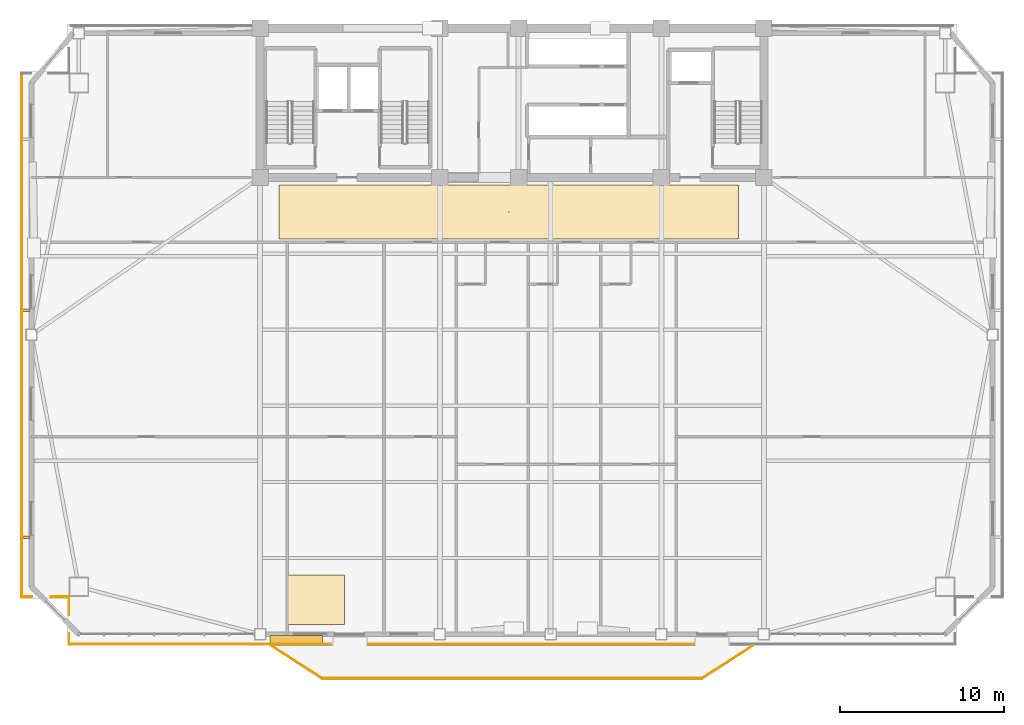
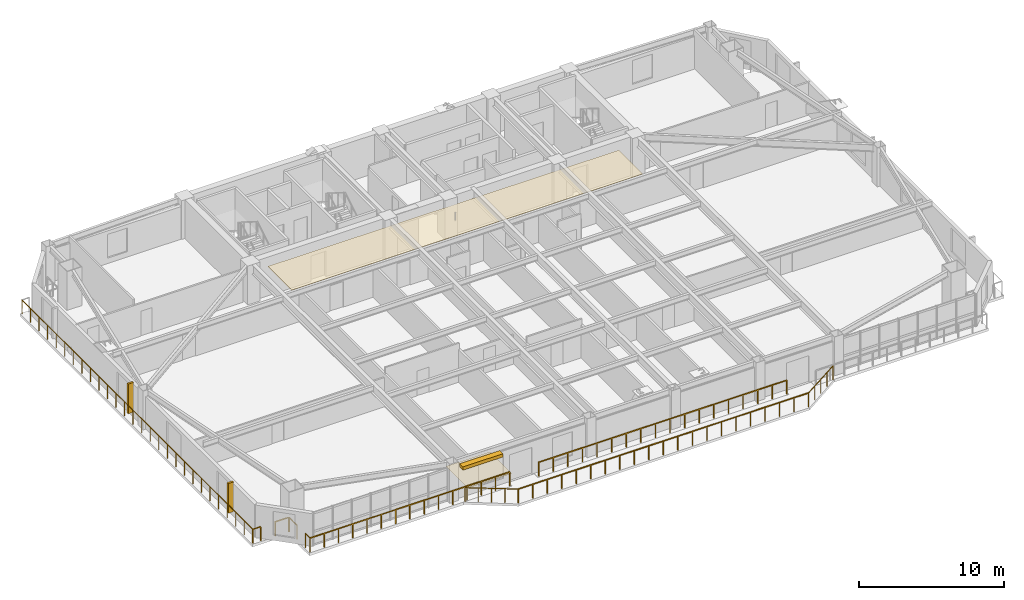
# One storey, part 12 of 15: 10 railings, 3 shading devices, 2 coverings.
"""IFC4 building model written with IfcOpenShell, lengths in metres."""

from ifc_helpers import new_model, si_unit, direction, frame, origin, origin_2d, place, context, subcontext, project, spatial, polyline, rectangle, outline, extrude, source, transform, mapped, material, layer, layer_set, type_object, element, save


model = new_model("IFC4")

# Units and contexts
model_context = context("Model", 3, precision=1e-05, world=origin(), true_north=direction((0.0, 1.0)))
body_context = subcontext(model_context, "Body", "Model", "MODEL_VIEW")
ifc_project = project(units=[si_unit("LENGTHUNIT", "METRE"), si_unit("AREAUNIT", "SQUARE_METRE"), si_unit("VOLUMEUNIT", "CUBIC_METRE"), si_unit("PLANEANGLEUNIT", "RADIAN"), si_unit("MASSUNIT", "GRAM", prefix="KILO")], contexts=[model_context])

# Site, building, storey
site_placement = place(None, origin())
site = spatial("IfcSite", under=ifc_project, at=site_placement, CompositionType="ELEMENT")
building_placement = place(site_placement, origin())
building = spatial("IfcBuilding", under=site, at=building_placement, Name="Giltprow Tower", CompositionType="ELEMENT")
storey_placement = place(building_placement, frame((0.0, 0.0, 173.699951171875)))
storey = spatial("IfcBuildingStorey", under=building, at=storey_placement, Name="L43", CompositionType="ELEMENT", Elevation=173.699951171875)

# Coverings
ifc_material_1 = material(Name="Painted gypsum board", Category="gypsum")
ifc_layer_1 = layer(ifc_material_1, 0.030029296875, Name="Painted gypsum board")
ifc_layer_set_1 = layer_set([ifc_layer_1], Name="Painted gypsum board")
covering_type_1 = type_object("IfcCoveringType", Name="COV-CLG-GYPSUM", PredefinedType="CEILING", material=ifc_layer_set_1)
covering_1_placement = place(storey_placement, frame((0.0, 0.0, 2.6201171875)))
element("IfcCovering", 1, at=covering_1_placement, inside=storey, type_object=covering_type_1, Name="L43 Hotel Corridor Gypsum Ceiling", PredefinedType="CEILING", context=body_context, shape_type="SweptSolid", body=[
    extrude(outline(polyline([(21.0, 33.699951171875), (49.0, 33.699951171875), (49.0, 37.0), (21.0, 37.0), (21.0, 33.699951171875)])), origin(), (0.0, 0.0, 1.0), 0.030029296875),
])
ifc_material_2 = material(Name="Engineered oak", Category="wood")
ifc_layer_2 = layer(ifc_material_2, 0.02490234375, Name="Engineered oak")
ifc_layer_set_2 = layer_set([ifc_layer_2], Name="Engineered oak")
covering_type_2 = type_object("IfcCoveringType", Name="COV-FLR-TIMBER", PredefinedType="FLOORING", material=ifc_layer_set_2)
covering_2_placement = place(storey_placement, origin())
element("IfcCovering", 2, at=covering_2_placement, inside=storey, type_object=covering_type_2, Name="L43 Engineered Oak Guestroom Flooring", PredefinedType="FLOORING", context=body_context, shape_type="SweptSolid", body=[
    extrude(outline(polyline([(21.5, 10.22607421875), (25.0, 10.22607421875), (25.0, 13.22607421875), (21.5, 13.22607421875), (21.5, 10.22607421875)])), origin(), (0.0, 0.0, 1.0), 0.025146484375),
])

# Railings
ifc_material_3 = material(Name="Anodized bronze", Category="metal")
railing_type = type_object("IfcRailingType", Name="RAIL-BALC-GUARD-1200", PredefinedType="BALUSTRADE", material=ifc_material_3)
railing_1_placement = place(storey_placement, frame((20.52001953125, 8.926025390625, 0.0)))
element("IfcRailing", 3, at=railing_1_placement, inside=storey, type_object=railing_type, Name="L43 Waterfront Balcony Balustrade Seg 1", PredefinedType="BALUSTRADE", context=body_context, shape_type="SweptSolid", body=[
    extrude(rectangle(XDim=0.048095703125, YDim=0.048095703125, at=origin_2d()), frame((0.0, 0.0, 1.17578125), z_axis=(0.84277487735, -0.538266203757, 0.0), x_axis=(0.538266203757, 0.84277487735, 0.0)), (0.0, 0.0, 1.0), 3.678466796875),
    extrude(rectangle(XDim=0.0419921875, YDim=0.0419921875, at=origin_2d()), origin(), (0.0, 0.0, 1.0), 1.15185546875),
    extrude(rectangle(XDim=0.0419921875, YDim=0.0419921875, at=origin_2d()), frame((0.77490234375, -0.4951171875, 0.0)), (0.0, 0.0, 1.0), 1.15185546875),
    extrude(rectangle(XDim=0.0419921875, YDim=0.0419921875, at=origin_2d()), frame((1.550048828125, -0.989990234375, 0.0)), (0.0, 0.0, 1.0), 1.15185546875),
    extrude(rectangle(XDim=0.0419921875, YDim=0.0419921875, at=origin_2d()), frame((2.3251953125, -1.48486328125, 0.0)), (0.0, 0.0, 1.0), 1.15185546875),
    extrude(rectangle(XDim=0.0419921875, YDim=0.0419921875, at=origin_2d()), frame((3.10009765625, -1.97998046875, 0.0)), (0.0, 0.0, 1.0), 1.15185546875),
])
railing_2_placement = place(storey_placement, frame((23.6201171875, 6.946044921875, 0.0)))
element("IfcRailing", 4, at=railing_2_placement, inside=storey, type_object=railing_type, Name="L43 Waterfront Balcony Balustrade Seg 2", PredefinedType="BALUSTRADE", context=body_context, shape_type="SweptSolid", body=[
    extrude(rectangle(XDim=0.048095703125, YDim=0.048095703125, at=origin_2d()), frame((0.0, 0.0, 1.17578125), z_axis=(1.0, 0.0, 0.0), x_axis=(0.0, 1.0, 0.0)), (0.0, 0.0, 1.0), 23.159912109375),
    extrude(rectangle(XDim=0.0419921875, YDim=0.0419921875, at=origin_2d()), origin(), (0.0, 0.0, 1.0), 1.15185546875),
    extrude(rectangle(XDim=0.0419921875, YDim=0.0419921875, at=origin_2d()), frame((1.157958984375, 0.0, 0.0)), (0.0, 0.0, 1.0), 1.15185546875),
    extrude(rectangle(XDim=0.0419921875, YDim=0.0419921875, at=origin_2d()), frame((2.31591796875, 0.0, 0.0)), (0.0, 0.0, 1.0), 1.15185546875),
    extrude(rectangle(XDim=0.0419921875, YDim=0.0419921875, at=origin_2d()), frame((3.473876953125, 0.0, 0.0)), (0.0, 0.0, 1.0), 1.15185546875),
    extrude(rectangle(XDim=0.0419921875, YDim=0.0419921875, at=origin_2d()), frame((4.632080078125, 0.0, 0.0)), (0.0, 0.0, 1.0), 1.15185546875),
    extrude(rectangle(XDim=0.0419921875, YDim=0.0419921875, at=origin_2d()), frame((5.7900390625, 0.0, 0.0)), (0.0, 0.0, 1.0), 1.15185546875),
    extrude(rectangle(XDim=0.0419921875, YDim=0.0419921875, at=origin_2d()), frame((6.947998046875, 0.0, 0.0)), (0.0, 0.0, 1.0), 1.15185546875),
    extrude(rectangle(XDim=0.0419921875, YDim=0.0419921875, at=origin_2d()), frame((8.10595703125, 0.0, 0.0)), (0.0, 0.0, 1.0), 1.15185546875),
    extrude(rectangle(XDim=0.0419921875, YDim=0.0419921875, at=origin_2d()), frame((9.263916015625, 0.0, 0.0)), (0.0, 0.0, 1.0), 1.15185546875),
    extrude(rectangle(XDim=0.0419921875, YDim=0.0419921875, at=origin_2d()), frame((10.421875, 0.0, 0.0)), (0.0, 0.0, 1.0), 1.15185546875),
    extrude(rectangle(XDim=0.0419921875, YDim=0.0419921875, at=origin_2d()), frame((11.580078125, 0.0, 0.0)), (0.0, 0.0, 1.0), 1.15185546875),
    extrude(rectangle(XDim=0.0419921875, YDim=0.0419921875, at=origin_2d()), frame((12.738037109375, 0.0, 0.0)), (0.0, 0.0, 1.0), 1.15185546875),
    extrude(rectangle(XDim=0.0419921875, YDim=0.0419921875, at=origin_2d()), frame((13.89599609375, 0.0, 0.0)), (0.0, 0.0, 1.0), 1.15185546875),
    extrude(rectangle(XDim=0.0419921875, YDim=0.0419921875, at=origin_2d()), frame((15.053955078125, 0.0, 0.0)), (0.0, 0.0, 1.0), 1.15185546875),
    extrude(rectangle(XDim=0.0419921875, YDim=0.0419921875, at=origin_2d()), frame((16.2119140625, 0.0, 0.0)), (0.0, 0.0, 1.0), 1.15185546875),
    extrude(rectangle(XDim=0.0419921875, YDim=0.0419921875, at=origin_2d()), frame((17.369873046875, 0.0, 0.0)), (0.0, 0.0, 1.0), 1.15185546875),
    extrude(rectangle(XDim=0.0419921875, YDim=0.0419921875, at=origin_2d()), frame((18.52783203125, 0.0, 0.0)), (0.0, 0.0, 1.0), 1.15185546875),
    extrude(rectangle(XDim=0.0419921875, YDim=0.0419921875, at=origin_2d()), frame((19.68603515625, 0.0, 0.0)), (0.0, 0.0, 1.0), 1.15185546875),
    extrude(rectangle(XDim=0.0419921875, YDim=0.0419921875, at=origin_2d()), frame((20.843994140625, 0.0, 0.0)), (0.0, 0.0, 1.0), 1.15185546875),
    extrude(rectangle(XDim=0.0419921875, YDim=0.0419921875, at=origin_2d()), frame((22.001953125, 0.0, 0.0)), (0.0, 0.0, 1.0), 1.15185546875),
    extrude(rectangle(XDim=0.0419921875, YDim=0.0419921875, at=origin_2d()), frame((23.159912109375, 0.0, 0.0)), (0.0, 0.0, 1.0), 1.15185546875),
])
railing_3_placement = place(storey_placement, frame((46.780029296875, 6.946044921875, 0.0)))
element("IfcRailing", 5, at=railing_3_placement, inside=storey, type_object=railing_type, Name="L43 Waterfront Balcony Balustrade Seg 3", PredefinedType="BALUSTRADE", context=body_context, shape_type="SweptSolid", body=[
    extrude(rectangle(XDim=0.048095703125, YDim=0.048095703125, at=origin_2d()), frame((0.0, 0.0, 1.17578125), z_axis=(0.842755646126, 0.538296313309, 0.0), x_axis=(-0.538296313309, 0.842755646126, 0.0)), (0.0, 0.0, 1.0), 3.67822265625),
    extrude(rectangle(XDim=0.0419921875, YDim=0.0419921875, at=origin_2d()), origin(), (0.0, 0.0, 1.0), 1.15185546875),
    extrude(rectangle(XDim=0.0419921875, YDim=0.0419921875, at=origin_2d()), frame((0.77490234375, 0.4951171875, 0.0)), (0.0, 0.0, 1.0), 1.15185546875),
    extrude(rectangle(XDim=0.0419921875, YDim=0.0419921875, at=origin_2d()), frame((1.5498046875, 0.989990234375, 0.0)), (0.0, 0.0, 1.0), 1.15185546875),
    extrude(rectangle(XDim=0.0419921875, YDim=0.0419921875, at=origin_2d()), frame((2.324951171875, 1.48486328125, 0.0)), (0.0, 0.0, 1.0), 1.15185546875),
    extrude(rectangle(XDim=0.0419921875, YDim=0.0419921875, at=origin_2d()), frame((3.099853515625, 1.97998046875, 0.0)), (0.0, 0.0, 1.0), 1.15185546875),
])
railing_4_placement = place(storey_placement, frame((8.2060546875, 9.02587890625, 0.0)))
element("IfcRailing", 6, at=railing_4_placement, inside=storey, type_object=railing_type, Name="L43 Corner Apron Edge Balustrade 1", PredefinedType="BALUSTRADE", context=body_context, shape_type="SweptSolid", body=[
    extrude(rectangle(XDim=0.048095703125, YDim=0.048095703125, at=origin_2d()), frame((0.0, 0.0, 1.17578125), z_axis=(0.0, 1.0, 0.0), x_axis=(-1.0, 0.0, 0.0)), (0.0, 0.0, 1.0), 0.6201171875),
    extrude(rectangle(XDim=0.0419921875, YDim=0.0419921875, at=origin_2d()), origin(), (0.0, 0.0, 1.0), 1.15185546875),
    extrude(rectangle(XDim=0.0419921875, YDim=0.0419921875, at=origin_2d()), frame((0.0, 0.6201171875, 0.0)), (0.0, 0.0, 1.0), 1.15185546875),
])
railing_5_placement = place(storey_placement, frame((8.2060546875, 10.805908203125, 0.0)))
element("IfcRailing", 7, at=railing_5_placement, inside=storey, type_object=railing_type, Name="L43 Corner Apron Edge Balustrade 2", PredefinedType="BALUSTRADE", context=body_context, shape_type="SweptSolid", body=[
    extrude(rectangle(XDim=0.048095703125, YDim=0.048095703125, at=origin_2d()), frame((0.0, 0.0, 1.17578125), z_axis=(0.0, 1.0, 0.0), x_axis=(-1.0, 0.0, 0.0)), (0.0, 0.0, 1.0), 1.072021484375),
    extrude(rectangle(XDim=0.0419921875, YDim=0.0419921875, at=origin_2d()), origin(), (0.0, 0.0, 1.0), 1.15185546875),
    extrude(rectangle(XDim=0.0419921875, YDim=0.0419921875, at=origin_2d()), frame((0.0, 1.072021484375, 0.0)), (0.0, 0.0, 1.0), 1.15185546875),
])
railing_6_placement = place(storey_placement, frame((8.1708984375, 11.9130859375, 0.0)))
element("IfcRailing", 8, at=railing_6_placement, inside=storey, type_object=railing_type, Name="L43 Corner Apron Edge Balustrade 3", PredefinedType="BALUSTRADE", context=body_context, shape_type="SweptSolid", body=[
    extrude(rectangle(XDim=0.048095703125, YDim=0.048095703125, at=origin_2d()), frame((0.0, 0.0, 1.17578125), z_axis=(-1.0, 0.0, 0.0), x_axis=(0.0, -1.0, 0.0)), (0.0, 0.0, 1.0), 1.07177734375),
    extrude(rectangle(XDim=0.0419921875, YDim=0.0419921875, at=origin_2d()), origin(), (0.0, 0.0, 1.0), 1.15185546875),
    extrude(rectangle(XDim=0.0419921875, YDim=0.0419921875, at=origin_2d()), frame((-1.07177734375, 0.0, 0.0)), (0.0, 0.0, 1.0), 1.15185546875),
])
railing_7_placement = place(storey_placement, frame((5.93896484375, 11.9130859375, 0.0)))
element("IfcRailing", 9, at=railing_7_placement, inside=storey, type_object=railing_type, Name="L43 Corner Apron Edge Balustrade 4", PredefinedType="BALUSTRADE", context=body_context, shape_type="SweptSolid", body=[
    extrude(rectangle(XDim=0.048095703125, YDim=0.048095703125, at=origin_2d()), frame((0.0, 0.0, 1.17578125), z_axis=(-1.0, 0.0, 0.0), x_axis=(0.0, -1.0, 0.0)), (0.0, 0.0, 1.0), 0.619873046875),
    extrude(rectangle(XDim=0.0419921875, YDim=0.0419921875, at=origin_2d()), origin(), (0.0, 0.0, 1.0), 1.15185546875),
    extrude(rectangle(XDim=0.0419921875, YDim=0.0419921875, at=origin_2d()), frame((-0.619873046875, 0.0, 0.0)), (0.0, 0.0, 1.0), 1.15185546875),
])
railing_8_placement = place(storey_placement, frame((5.319091796875, 11.9130859375, 0.0)))
element("IfcRailing", 10, at=railing_8_placement, inside=storey, type_object=railing_type, Name="L43 Corner Apron Edge Balustrade 5", PredefinedType="BALUSTRADE", context=body_context, shape_type="SweptSolid", body=[
    extrude(rectangle(XDim=0.048095703125, YDim=0.048095703125, at=origin_2d()), frame((0.0, 0.0, 1.17578125), z_axis=(0.0, 1.0, 0.0), x_axis=(-1.0, 0.0, 0.0)), (0.0, 0.0, 1.0), 31.89990234375),
    extrude(rectangle(XDim=0.0419921875, YDim=0.0419921875, at=origin_2d()), origin(), (0.0, 0.0, 1.0), 1.15185546875),
    extrude(rectangle(XDim=0.0419921875, YDim=0.0419921875, at=origin_2d()), frame((0.0, 1.181396484375, 0.0)), (0.0, 0.0, 1.0), 1.15185546875),
    extrude(rectangle(XDim=0.0419921875, YDim=0.0419921875, at=origin_2d()), frame((0.0, 2.363037109375, 0.0)), (0.0, 0.0, 1.0), 1.15185546875),
    extrude(rectangle(XDim=0.0419921875, YDim=0.0419921875, at=origin_2d()), frame((0.0, 3.54443359375, 0.0)), (0.0, 0.0, 1.0), 1.15185546875),
    extrude(rectangle(XDim=0.0419921875, YDim=0.0419921875, at=origin_2d()), frame((0.0, 4.725830078125, 0.0)), (0.0, 0.0, 1.0), 1.15185546875),
    extrude(rectangle(XDim=0.0419921875, YDim=0.0419921875, at=origin_2d()), frame((0.0, 5.907470703125, 0.0)), (0.0, 0.0, 1.0), 1.15185546875),
    extrude(rectangle(XDim=0.0419921875, YDim=0.0419921875, at=origin_2d()), frame((0.0, 7.0888671875, 0.0)), (0.0, 0.0, 1.0), 1.15185546875),
    extrude(rectangle(XDim=0.0419921875, YDim=0.0419921875, at=origin_2d()), frame((0.0, 8.270263671875, 0.0)), (0.0, 0.0, 1.0), 1.15185546875),
    extrude(rectangle(XDim=0.0419921875, YDim=0.0419921875, at=origin_2d()), frame((0.0, 9.451904296875, 0.0)), (0.0, 0.0, 1.0), 1.15185546875),
    extrude(rectangle(XDim=0.0419921875, YDim=0.0419921875, at=origin_2d()), frame((0.0, 10.63330078125, 0.0)), (0.0, 0.0, 1.0), 1.15185546875),
    extrude(rectangle(XDim=0.0419921875, YDim=0.0419921875, at=origin_2d()), frame((0.0, 11.814697265625, 0.0)), (0.0, 0.0, 1.0), 1.15185546875),
    extrude(rectangle(XDim=0.0419921875, YDim=0.0419921875, at=origin_2d()), frame((0.0, 12.996337890625, 0.0)), (0.0, 0.0, 1.0), 1.15185546875),
    extrude(rectangle(XDim=0.0419921875, YDim=0.0419921875, at=origin_2d()), frame((0.0, 14.177734375, 0.0)), (0.0, 0.0, 1.0), 1.15185546875),
    extrude(rectangle(XDim=0.0419921875, YDim=0.0419921875, at=origin_2d()), frame((0.0, 15.359130859375, 0.0)), (0.0, 0.0, 1.0), 1.15185546875),
    extrude(rectangle(XDim=0.0419921875, YDim=0.0419921875, at=origin_2d()), frame((0.0, 16.540771484375, 0.0)), (0.0, 0.0, 1.0), 1.15185546875),
    extrude(rectangle(XDim=0.0419921875, YDim=0.0419921875, at=origin_2d()), frame((0.0, 17.72216796875, 0.0)), (0.0, 0.0, 1.0), 1.15185546875),
    extrude(rectangle(XDim=0.0419921875, YDim=0.0419921875, at=origin_2d()), frame((0.0, 18.903564453125, 0.0)), (0.0, 0.0, 1.0), 1.15185546875),
    extrude(rectangle(XDim=0.0419921875, YDim=0.0419921875, at=origin_2d()), frame((0.0, 20.085205078125, 0.0)), (0.0, 0.0, 1.0), 1.15185546875),
    extrude(rectangle(XDim=0.0419921875, YDim=0.0419921875, at=origin_2d()), frame((0.0, 21.2666015625, 0.0)), (0.0, 0.0, 1.0), 1.15185546875),
    extrude(rectangle(XDim=0.0419921875, YDim=0.0419921875, at=origin_2d()), frame((0.0, 22.447998046875, 0.0)), (0.0, 0.0, 1.0), 1.15185546875),
    extrude(rectangle(XDim=0.0419921875, YDim=0.0419921875, at=origin_2d()), frame((0.0, 23.629638671875, 0.0)), (0.0, 0.0, 1.0), 1.15185546875),
    extrude(rectangle(XDim=0.0419921875, YDim=0.0419921875, at=origin_2d()), frame((0.0, 24.81103515625, 0.0)), (0.0, 0.0, 1.0), 1.15185546875),
    extrude(rectangle(XDim=0.0419921875, YDim=0.0419921875, at=origin_2d()), frame((0.0, 25.992431640625, 0.0)), (0.0, 0.0, 1.0), 1.15185546875),
    extrude(rectangle(XDim=0.0419921875, YDim=0.0419921875, at=origin_2d()), frame((0.0, 27.174072265625, 0.0)), (0.0, 0.0, 1.0), 1.15185546875),
    extrude(rectangle(XDim=0.0419921875, YDim=0.0419921875, at=origin_2d()), frame((0.0, 28.35546875, 0.0)), (0.0, 0.0, 1.0), 1.15185546875),
    extrude(rectangle(XDim=0.0419921875, YDim=0.0419921875, at=origin_2d()), frame((0.0, 29.536865234375, 0.0)), (0.0, 0.0, 1.0), 1.15185546875),
    extrude(rectangle(XDim=0.0419921875, YDim=0.0419921875, at=origin_2d()), frame((0.0, 30.718505859375, 0.0)), (0.0, 0.0, 1.0), 1.15185546875),
    extrude(rectangle(XDim=0.0419921875, YDim=0.0419921875, at=origin_2d()), frame((0.0, 31.89990234375, 0.0)), (0.0, 0.0, 1.0), 1.15185546875),
])
railing_9_placement = place(storey_placement, frame((46.25, 9.02587890625, 0.0)))
element("IfcRailing", 11, at=railing_9_placement, inside=storey, type_object=railing_type, Name="L43 Corner Apron Edge Balustrade 20", PredefinedType="BALUSTRADE", context=body_context, shape_type="SweptSolid", body=[
    extrude(rectangle(XDim=0.048095703125, YDim=0.048095703125, at=origin_2d()), frame((0.0, 0.0, 1.17578125), z_axis=(-1.0, 0.0, 0.0), x_axis=(0.0, -1.0, 0.0)), (0.0, 0.0, 1.0), 19.800048828125),
    extrude(rectangle(XDim=0.0419921875, YDim=0.0419921875, at=origin_2d()), origin(), (0.0, 0.0, 1.0), 1.15185546875),
    extrude(rectangle(XDim=0.0419921875, YDim=0.0419921875, at=origin_2d()), frame((-1.164794921875, 0.0, 0.0)), (0.0, 0.0, 1.0), 1.15185546875),
    extrude(rectangle(XDim=0.0419921875, YDim=0.0419921875, at=origin_2d()), frame((-2.329345703125, 0.0, 0.0)), (0.0, 0.0, 1.0), 1.15185546875),
    extrude(rectangle(XDim=0.0419921875, YDim=0.0419921875, at=origin_2d()), frame((-3.494140625, 0.0, 0.0)), (0.0, 0.0, 1.0), 1.15185546875),
    extrude(rectangle(XDim=0.0419921875, YDim=0.0419921875, at=origin_2d()), frame((-4.658935546875, 0.0, 0.0)), (0.0, 0.0, 1.0), 1.15185546875),
    extrude(rectangle(XDim=0.0419921875, YDim=0.0419921875, at=origin_2d()), frame((-5.823486328125, 0.0, 0.0)), (0.0, 0.0, 1.0), 1.15185546875),
    extrude(rectangle(XDim=0.0419921875, YDim=0.0419921875, at=origin_2d()), frame((-6.98828125, 0.0, 0.0)), (0.0, 0.0, 1.0), 1.15185546875),
    extrude(rectangle(XDim=0.0419921875, YDim=0.0419921875, at=origin_2d()), frame((-8.153076171875, 0.0, 0.0)), (0.0, 0.0, 1.0), 1.15185546875),
    extrude(rectangle(XDim=0.0419921875, YDim=0.0419921875, at=origin_2d()), frame((-9.317626953125, 0.0, 0.0)), (0.0, 0.0, 1.0), 1.15185546875),
    extrude(rectangle(XDim=0.0419921875, YDim=0.0419921875, at=origin_2d()), frame((-10.482421875, 0.0, 0.0)), (0.0, 0.0, 1.0), 1.15185546875),
    extrude(rectangle(XDim=0.0419921875, YDim=0.0419921875, at=origin_2d()), frame((-11.64697265625, 0.0, 0.0)), (0.0, 0.0, 1.0), 1.15185546875),
    extrude(rectangle(XDim=0.0419921875, YDim=0.0419921875, at=origin_2d()), frame((-12.811767578125, 0.0, 0.0)), (0.0, 0.0, 1.0), 1.15185546875),
    extrude(rectangle(XDim=0.0419921875, YDim=0.0419921875, at=origin_2d()), frame((-13.9765625, 0.0, 0.0)), (0.0, 0.0, 1.0), 1.15185546875),
    extrude(rectangle(XDim=0.0419921875, YDim=0.0419921875, at=origin_2d()), frame((-15.14111328125, 0.0, 0.0)), (0.0, 0.0, 1.0), 1.15185546875),
    extrude(rectangle(XDim=0.0419921875, YDim=0.0419921875, at=origin_2d()), frame((-16.305908203125, 0.0, 0.0)), (0.0, 0.0, 1.0), 1.15185546875),
    extrude(rectangle(XDim=0.0419921875, YDim=0.0419921875, at=origin_2d()), frame((-17.470703125, 0.0, 0.0)), (0.0, 0.0, 1.0), 1.15185546875),
    extrude(rectangle(XDim=0.0419921875, YDim=0.0419921875, at=origin_2d()), frame((-18.63525390625, 0.0, 0.0)), (0.0, 0.0, 1.0), 1.15185546875),
    extrude(rectangle(XDim=0.0419921875, YDim=0.0419921875, at=origin_2d()), frame((-19.800048828125, 0.0, 0.0)), (0.0, 0.0, 1.0), 1.15185546875),
])
railing_10_placement = place(storey_placement, frame((24.14990234375, 9.02587890625, 0.0)))
element("IfcRailing", 12, at=railing_10_placement, inside=storey, type_object=railing_type, Name="L43 Corner Apron Edge Balustrade 21", PredefinedType="BALUSTRADE", context=body_context, shape_type="SweptSolid", body=[
    extrude(rectangle(XDim=0.048095703125, YDim=0.048095703125, at=origin_2d()), frame((0.0, 0.0, 1.17578125), z_axis=(-1.0, 0.0, 0.0), x_axis=(0.0, -1.0, 0.0)), (0.0, 0.0, 1.0), 15.94384765625),
    extrude(rectangle(XDim=0.0419921875, YDim=0.0419921875, at=origin_2d()), origin(), (0.0, 0.0, 1.0), 1.15185546875),
    extrude(rectangle(XDim=0.0419921875, YDim=0.0419921875, at=origin_2d()), frame((-1.138916015625, 0.0, 0.0)), (0.0, 0.0, 1.0), 1.15185546875),
    extrude(rectangle(XDim=0.0419921875, YDim=0.0419921875, at=origin_2d()), frame((-2.277587890625, 0.0, 0.0)), (0.0, 0.0, 1.0), 1.15185546875),
    extrude(rectangle(XDim=0.0419921875, YDim=0.0419921875, at=origin_2d()), frame((-3.41650390625, 0.0, 0.0)), (0.0, 0.0, 1.0), 1.15185546875),
    extrude(rectangle(XDim=0.0419921875, YDim=0.0419921875, at=origin_2d()), frame((-4.555419921875, 0.0, 0.0)), (0.0, 0.0, 1.0), 1.15185546875),
    extrude(rectangle(XDim=0.0419921875, YDim=0.0419921875, at=origin_2d()), frame((-5.6943359375, 0.0, 0.0)), (0.0, 0.0, 1.0), 1.15185546875),
    extrude(rectangle(XDim=0.0419921875, YDim=0.0419921875, at=origin_2d()), frame((-6.8330078125, 0.0, 0.0)), (0.0, 0.0, 1.0), 1.15185546875),
    extrude(rectangle(XDim=0.0419921875, YDim=0.0419921875, at=origin_2d()), frame((-7.971923828125, 0.0, 0.0)), (0.0, 0.0, 1.0), 1.15185546875),
    extrude(rectangle(XDim=0.0419921875, YDim=0.0419921875, at=origin_2d()), frame((-9.11083984375, 0.0, 0.0)), (0.0, 0.0, 1.0), 1.15185546875),
    extrude(rectangle(XDim=0.0419921875, YDim=0.0419921875, at=origin_2d()), frame((-10.24951171875, 0.0, 0.0)), (0.0, 0.0, 1.0), 1.15185546875),
    extrude(rectangle(XDim=0.0419921875, YDim=0.0419921875, at=origin_2d()), frame((-11.388427734375, 0.0, 0.0)), (0.0, 0.0, 1.0), 1.15185546875),
    extrude(rectangle(XDim=0.0419921875, YDim=0.0419921875, at=origin_2d()), frame((-12.52734375, 0.0, 0.0)), (0.0, 0.0, 1.0), 1.15185546875),
    extrude(rectangle(XDim=0.0419921875, YDim=0.0419921875, at=origin_2d()), frame((-13.666259765625, 0.0, 0.0)), (0.0, 0.0, 1.0), 1.15185546875),
    extrude(rectangle(XDim=0.0419921875, YDim=0.0419921875, at=origin_2d()), frame((-14.804931640625, 0.0, 0.0)), (0.0, 0.0, 1.0), 1.15185546875),
    extrude(rectangle(XDim=0.0419921875, YDim=0.0419921875, at=origin_2d()), frame((-15.94384765625, 0.0, 0.0)), (0.0, 0.0, 1.0), 1.15185546875),
])

# Shading devices
shading_device_type_1 = type_object("IfcShadingDeviceType", Name="SHD-FIN-420", PredefinedType="USERDEFINED", material=ifc_material_3)
shared_shape_1 = source(origin(), body_context, "Body", "SweptSolid", [
    extrude(rectangle(XDim=0.419921875, YDim=0.159912109375, at=origin_2d()), origin(), (0.0, 0.0, 1.0), 2.5),
])
for number, where, z_axis, x_axis, name in (
    (13, (5.618896484375, 15.532958984375, 0.35009765625), (0.0, 0.0, 1.0), (1.0, 0.0, 0.0), "L43 W Bronze Vertical Fin 1-1"),
    (14, (5.618896484375, 29.364013671875, 0.35009765625), (0.0, 0.0, 1.0), (1.0, 0.0, 0.0), "L43 W Bronze Vertical Fin 2-1"),
):
    element("IfcShadingDevice", number, at=place(storey_placement, frame(where, z_axis=z_axis, x_axis=x_axis)), inside=storey, type_object=shading_device_type_1, Name=name, ObjectType="FIN", PredefinedType="USERDEFINED", context=body_context, shape_type="MappedRepresentation", body=[
        mapped(shared_shape_1, transform((0.0, 0.0, 0.0), x_axis=(1.0, 0.0, 0.0), y_axis=(0.0, 1.0, 0.0), z_axis=(0.0, 0.0, 1.0), scale=1.0)),
    ])
shading_device_type_2 = type_object("IfcShadingDeviceType", Name="SHD-LOUVRE-320", PredefinedType="JALOUSIE", material=ifc_material_3)
shared_shape_2 = source(origin(), body_context, "Body", "SweptSolid", [
    extrude(rectangle(XDim=3.199951171875, YDim=0.449951171875, at=origin_2d()), origin(), (0.0, 0.0, 1.0), 0.280029296875),
])
shading_device_placement = place(storey_placement, frame((22.050048828125, 9.325927734375, 2.56005859375), z_axis=(0.0, 0.0, 1.0), x_axis=(1.0, 0.0, 0.0)))
element("IfcShadingDevice", 15, at=shading_device_placement, inside=storey, type_object=shading_device_type_2, Name="L43 Bronze Sunshade Louvre S-2", PredefinedType="JALOUSIE", context=body_context, shape_type="MappedRepresentation", body=[
    mapped(shared_shape_2, transform((0.0, 0.0, 0.0), x_axis=(1.0, 0.0, 0.0), y_axis=(0.0, 1.0, 0.0), z_axis=(0.0, 0.0, 1.0), scale=1.0)),
])

save(model, "model.ifc")
